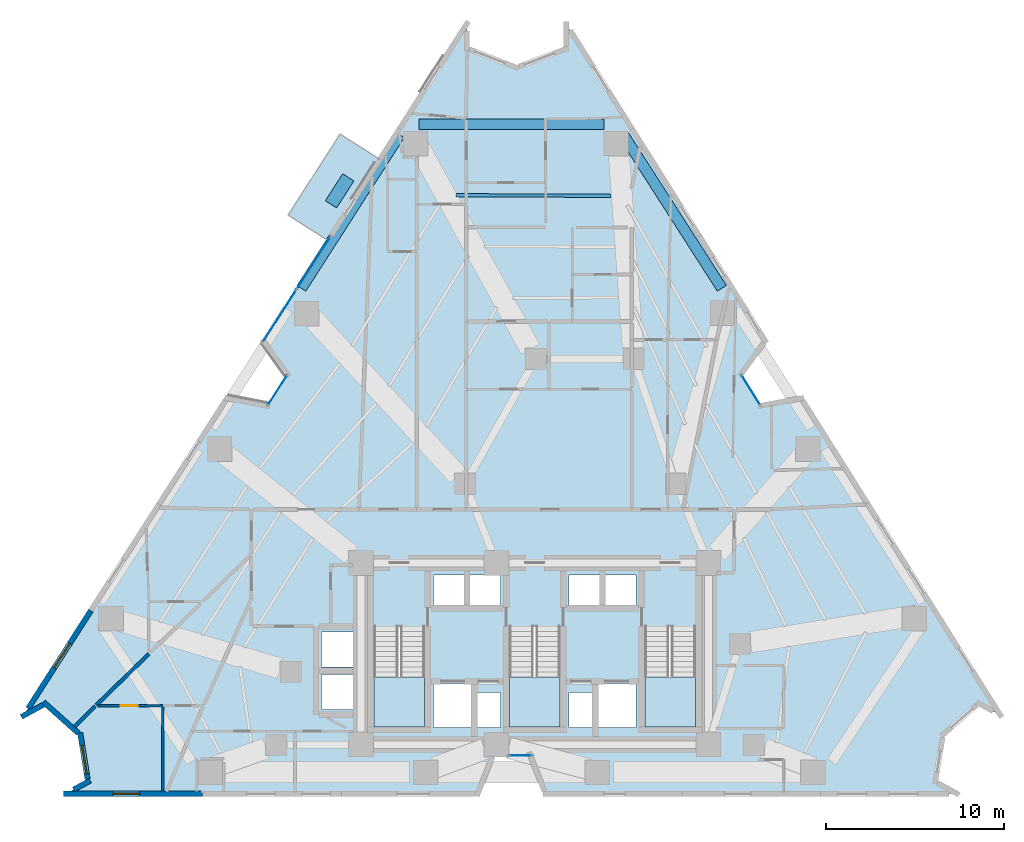
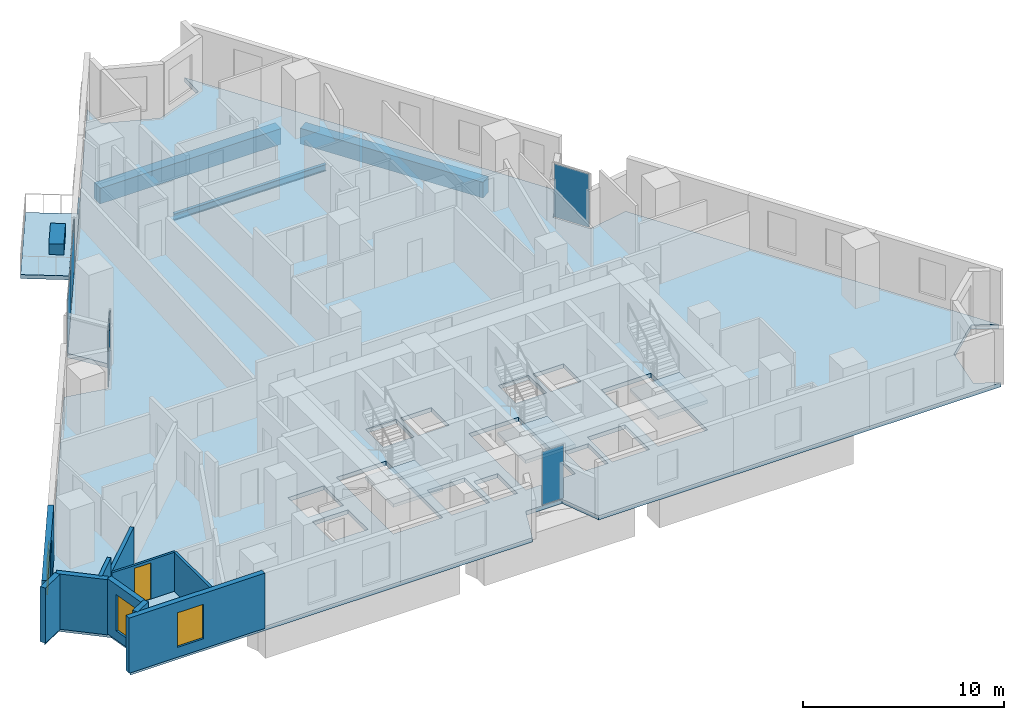
# One storey, part 6 of 13: 10 walls, 6 plates, 5 slabs, 4 beams, 3 windows, 1 door, 4 openings, 7 elements without a shape of their own.
"""IFC4 building model written with IfcOpenShell, lengths in metres."""

import ifcopenshell
import ifcopenshell.guid

model = None  # the IFC model being written
_history = None  # IfcOwnerHistory: only IFC2X3 demands one
_inside = {}  # id of a spatial element -> (the spatial element, [elements in it])
_under = {}  # id of a project, library or spatial element -> (it, [spatial elements below it])
_declared = {}  # id of a project -> (the project, [libraries it declares])
_typed = {}  # id of a type object -> (the type object, [elements of that type])
_made_of = {}  # id of a material, layer set ... -> (it, [elements and type objects made of it])


def new_model(schema):
    """Start an empty IFC model of exactly this schema.

    Asked for "IFC4X3", IfcOpenShell would pick the latest addendum, in which some entities
    have other attributes; the version numbers below select the first issue.
    IFC2X3 requires an IfcOwnerHistory on every rooted entity: one is made here for all.
    """
    global model, _history
    if schema == "IFC4X3":
        model = ifcopenshell.file(schema_version=(4, 3, 0, 0))
    else:
        model = ifcopenshell.file(schema=schema)
    _inside.clear()
    _under.clear()
    _declared.clear()
    _typed.clear()
    _made_of.clear()
    _history = None
    if model.schema == "IFC2X3":
        org = make("IfcOrganization", Name="unknown")
        user = make(
            "IfcPersonAndOrganization",
            ThePerson=make("IfcPerson", FamilyName="unknown"),
            TheOrganization=org,
        )
        app = make(
            "IfcApplication",
            ApplicationDeveloper=org,
            Version="unknown",
            ApplicationFullName="unknown",
            ApplicationIdentifier="unknown",
        )
        _history = make(
            "IfcOwnerHistory",
            OwningUser=user,
            OwningApplication=app,
            ChangeAction="ADDED",
            CreationDate=0,
        )
    return model


def make(cls, **values):
    """One entity of the class cls with the attributes given. An attribute that is None is left unset."""
    return model.create_entity(
        cls, **{name: value for name, value in values.items() if value is not None}
    )


def rooted(cls, **values):
    """An entity with a GlobalId (a new one), such as an element, a storey or a relation."""
    return make(cls, GlobalId=ifcopenshell.guid.new(), OwnerHistory=_history, **values)


def si_unit(unit_type, name, prefix=None):
    """IfcSIUnit, for example si_unit("LENGTHUNIT", "METRE", prefix="MILLI")."""
    return make("IfcSIUnit", UnitType=unit_type, Prefix=prefix, Name=name)


def assignment(units):
    """IfcUnitAssignment: the units of a project."""
    return None if units is None else make("IfcUnitAssignment", Units=units)


def point(xyz):
    """IfcCartesianPoint."""
    return None if xyz is None else make("IfcCartesianPoint", Coordinates=xyz)


def direction(xyz):
    """IfcDirection."""
    return None if xyz is None else make("IfcDirection", DirectionRatios=xyz)


def frame(location, z_axis=None, x_axis=None):
    """IfcAxis2Placement3D, a coordinate frame: its origin and axes. An axis left out is left unset."""
    return make(
        "IfcAxis2Placement3D",
        Location=point(location),
        Axis=direction(z_axis),
        RefDirection=direction(x_axis),
    )


def frame_2d(location, x_axis=None):
    """IfcAxis2Placement2D, a coordinate frame in the plane: its origin and x axis."""
    return make(
        "IfcAxis2Placement2D", Location=point(location), RefDirection=direction(x_axis)
    )


def origin():
    """The frame at (0, 0, 0) with its axes left unset."""
    return frame((0.0, 0.0, 0.0))


def origin_2d():
    """The frame at (0, 0) in the plane with its x axis left unset."""
    return frame_2d((0.0, 0.0))


def place(relative_to, where):
    """IfcLocalPlacement: puts the frame where relative to a parent placement (None: the world)."""
    return make(
        "IfcLocalPlacement", PlacementRelTo=relative_to, RelativePlacement=where
    )


def context(
    kind, dimensions, precision=None, world=None, true_north=None, identifier=None
):
    """IfcGeometricRepresentationContext, for example the 3D "Model" context."""
    return make(
        "IfcGeometricRepresentationContext",
        ContextIdentifier=identifier,
        ContextType=kind,
        CoordinateSpaceDimension=dimensions,
        Precision=precision,
        WorldCoordinateSystem=world,
        TrueNorth=true_north,
    )


def subcontext(parent, identifier, kind, view, scale=None):
    """IfcGeometricRepresentationSubContext, for example "Body" below "Model"."""
    return make(
        "IfcGeometricRepresentationSubContext",
        ContextIdentifier=identifier,
        ContextType=kind,
        ParentContext=parent,
        TargetScale=scale,
        TargetView=view,
    )


def project(units=None, contexts=None):
    """IfcProject with its units and contexts."""
    return rooted(
        "IfcProject",
        Name="project",
        RepresentationContexts=contexts,
        UnitsInContext=assignment(units),
    )


def spatial(cls, under=None, at=None, **own):
    """A site, building, storey or space (cls), placed at a placement, below another one or the project."""
    s = rooted(cls, ObjectPlacement=at, **own)
    if under is not None:
        _under.setdefault(under.id(), (under, []))[1].append(s)
    return s


def polyline(points):
    """IfcPolyline through the points."""
    return make("IfcPolyline", Points=[point(p) for p in points])


def profile(cls, at=None, kind="AREA", **sizes):
    """A parametric profile (cls). Its sizes go by their IFC names, for example OverallWidth=200.0."""
    return make(cls, ProfileType=kind, Position=at, **sizes)


def rectangle(**sizes):
    """IfcRectangleProfileDef."""
    return profile("IfcRectangleProfileDef", **sizes)


def i_section(**sizes):
    """IfcIShapeProfileDef."""
    return profile("IfcIShapeProfileDef", **sizes)


def outline(outer, holes=None, kind="AREA"):
    """IfcArbitraryClosedProfileDef: a profile drawn as a closed curve; with holes, ...WithVoids."""
    if holes is None:
        return make("IfcArbitraryClosedProfileDef", ProfileType=kind, OuterCurve=outer)
    return make(
        "IfcArbitraryProfileDefWithVoids",
        ProfileType=kind,
        OuterCurve=outer,
        InnerCurves=holes,
    )


def extrude(swept, where, along, depth):
    """IfcExtrudedAreaSolid: the profile swept, set in the frame where, extruded along a direction by depth."""
    return make(
        "IfcExtrudedAreaSolid",
        SweptArea=swept,
        Position=where,
        ExtrudedDirection=direction(along),
        Depth=depth,
    )


def shape(context_of_items, identifier, shape_type, items):
    """IfcShapeRepresentation: the items that make up one representation, for example the "Body"."""
    return make(
        "IfcShapeRepresentation",
        ContextOfItems=context_of_items,
        RepresentationIdentifier=identifier,
        RepresentationType=shape_type,
        Items=items,
    )


def material(Name=None, Category=None):
    """IfcMaterial."""
    return make("IfcMaterial", Name=Name, Category=Category)


def layer(
    of_material, thickness, ventilated=None, Name=None, Category=None, Priority=None
):
    """IfcMaterialLayer: one layer of a wall or slab, of a material (None: an air gap)."""
    return make(
        "IfcMaterialLayer",
        Material=of_material,
        LayerThickness=thickness,
        IsVentilated=ventilated,
        Name=Name,
        Category=Category,
        Priority=Priority,
    )


def layer_set(layers, Name=None):
    """IfcMaterialLayerSet."""
    return make("IfcMaterialLayerSet", MaterialLayers=layers, LayerSetName=Name)


def material_profile(
    of_material, cross_section, Name=None, Category=None, Priority=None
):
    """IfcMaterialProfile: a cross section and its material."""
    return make(
        "IfcMaterialProfile",
        Name=Name,
        Material=of_material,
        Profile=cross_section,
        Priority=Priority,
        Category=Category,
    )


def profile_set(profiles, Name=None, composite=None):
    """IfcMaterialProfileSet."""
    return make(
        "IfcMaterialProfileSet",
        Name=Name,
        MaterialProfiles=profiles,
        CompositeProfile=composite,
    )


def made_of(thing, what):
    """Note that an element or type object is made of a material, layer set ...; save() writes the relation."""
    if what is not None:
        _made_of.setdefault(what.id(), (what, []))[1].append(thing)
    return thing


def type_object(cls, material=None, **own):
    """A type object (cls), such as IfcWallType, which elements share."""
    return made_of(rooted(cls, **own), material)


def element(
    cls,
    number,
    at=None,
    inside=None,
    cuts=None,
    type_object=None,
    material=None,
    context=None,
    identifier="Body",
    shape_type=None,
    held_by="IfcProductDefinitionShape",
    body=None,
    shapes=None,
    **own,
):
    """One element of the class cls, such as IfcWall. Its Tag is "e" and its number.

    at: its placement. inside: the storey or other place that contains it. cuts: it is an
    opening in that element (IfcRelVoidsElement). A single representation is given by context,
    identifier, shape_type and body (its items); several are given by shapes. held_by: the class
    of the entity that holds the representations. save() writes the other relations.
    """
    e = rooted(cls, Tag="e%d" % number, ObjectPlacement=at, **own)
    if body is not None:
        shapes = [shape(context, identifier, shape_type, body)]
    if shapes is not None:
        e.Representation = make(held_by, Representations=shapes)
    if inside is not None:
        _inside.setdefault(inside.id(), (inside, []))[1].append(e)
    if cuts is not None:
        rooted(
            "IfcRelVoidsElement", RelatingBuildingElement=cuts, RelatedOpeningElement=e
        )
    if type_object is not None:
        _typed.setdefault(type_object.id(), (type_object, []))[1].append(e)
    return made_of(e, material)


def fill(opening, filler):
    """IfcRelFillsElement: the door or window that sits in an opening."""
    return rooted(
        "IfcRelFillsElement",
        RelatingOpeningElement=opening,
        RelatedBuildingElement=filler,
    )


def aggregate(whole, parts):
    """IfcRelAggregates: a whole, such as a stair, and the parts it consists of."""
    return rooted("IfcRelAggregates", RelatingObject=whole, RelatedObjects=parts)


def save(model, path):
    """Write the relations noted so far, then the file.

    IfcRelAggregates (storeys below a building ...), IfcRelContainedInSpatialStructure (elements
    in a storey), IfcRelDefinesByType, IfcRelAssociatesMaterial and IfcRelDeclares: one each for
    every whole, place, type object, material and project.
    """
    for whole, parts in _under.values():
        aggregate(whole, parts)
    for where, things in _inside.values():
        rooted(
            "IfcRelContainedInSpatialStructure",
            RelatedElements=things,
            RelatingStructure=where,
        )
    for kind, things in _typed.values():
        rooted("IfcRelDefinesByType", RelatedObjects=things, RelatingType=kind)
    for what, things in _made_of.values():
        rooted("IfcRelAssociatesMaterial", RelatedObjects=things, RelatingMaterial=what)
    for by, libraries in _declared.values():
        rooted("IfcRelDeclares", RelatingContext=by, RelatedDefinitions=libraries)
    model.write(path)


model = new_model("IFC4")

# Units and contexts
model_context = context("Model", 3, precision=1e-05, world=origin(), true_north=direction((0.0, 1.0)))
body_context = subcontext(model_context, "Body", "Model", "MODEL_VIEW")
ifc_project = project(units=[si_unit("LENGTHUNIT", "METRE"), si_unit("AREAUNIT", "SQUARE_METRE"), si_unit("VOLUMEUNIT", "CUBIC_METRE"), si_unit("PLANEANGLEUNIT", "RADIAN"), si_unit("MASSUNIT", "GRAM", prefix="KILO")], contexts=[model_context])

# Site, building, storey
site_placement = place(None, origin())
site = spatial("IfcSite", under=ifc_project, at=site_placement, CompositionType="ELEMENT")
building_placement = place(site_placement, origin())
building = spatial("IfcBuilding", under=site, at=building_placement, Name="Almagre Mirador Tower", CompositionType="ELEMENT")
storey_placement = place(building_placement, frame((0.0, 0.0, 53.39990234375)))
storey = spatial("IfcBuildingStorey", under=building, at=storey_placement, Name="L12", CompositionType="ELEMENT", Elevation=53.39990234375)

# Beams
ifc_material_1 = material(Name="Steel ASTM A992 Grade 50", Category="steel")
ifc_material_profile_1 = material_profile(ifc_material_1, i_section(OverallWidth=0.178955078125, OverallDepth=0.408935546875, WebThickness=0.0087890625, FlangeThickness=0.014404296875, FilletRadius=0.013916015625, at=origin_2d()), Name="W16X45")
ifc_profile_set_1 = profile_set([ifc_material_profile_1], Name="Steel ASTM A992 Grade 50")
beam_type_1 = type_object("IfcBeamType", Name="BM-JST-W16X45", PredefinedType="JOIST", material=ifc_profile_set_1)
beam_1_placement = place(storey_placement, frame((41.5888671875, 35.351806640625, -0.454345703125), z_axis=(-0.999991483043, 0.004127207457, 0.0), x_axis=(-0.004127207457, -0.999991483043, 0.0)))
element("IfcBeam", 1, at=beam_1_placement, inside=storey, type_object=beam_type_1, Name="L12 secondary floor joist PC08-PC09.1", PredefinedType="JOIST", context=body_context, shape_type="SweptSolid", body=[
    extrude(i_section(OverallWidth=0.178955078125, OverallDepth=0.408935546875, WebThickness=0.0087890625, FlangeThickness=0.014404296875, FilletRadius=0.013916015625, at=origin_2d()), origin(), (0.0, 0.0, 1.0), 8.695556640625),
])
ifc_material_2 = material(Name="Precast concrete C50/60", Category="concrete")
ifc_material_profile_2 = material_profile(ifc_material_2, rectangle(XDim=0.60009765625, YDim=0.949951171875, at=origin_2d()), Name="RC600X950")
ifc_profile_set_2 = profile_set([ifc_material_profile_2], Name="Precast concrete C50/60")
beam_type_2 = type_object("IfcBeamType", Name="BM-SPN-RC600X950", PredefinedType="SPANDREL", material=ifc_profile_set_2)
beam_2_placement = place(storey_placement, frame((47.80029296875, 30.162353515625, -0.724853515625), z_axis=(-0.539538717329, 0.841960790359, 0.0), x_axis=(-0.841960790359, -0.539538717329, 0.0)))
element("IfcBeam", 2, at=beam_2_placement, inside=storey, type_object=beam_type_2, Name="L12 perimeter spandrel beam PC07-PC08", PredefinedType="SPANDREL", context=body_context, shape_type="SweptSolid", body=[
    extrude(rectangle(XDim=0.60009765625, YDim=0.949951171875, at=origin_2d()), origin(), (0.0, 0.0, 1.0), 10.239501953125),
])
beam_3_placement = place(storey_placement, frame((41.197998046875, 39.373046875, -0.724853515625), z_axis=(-1.0, 0.0, 0.0), x_axis=(0.0, -1.0, 0.0)))
element("IfcBeam", 3, at=beam_3_placement, inside=storey, type_object=beam_type_2, Name="L12 perimeter spandrel beam PC08-PC09", PredefinedType="SPANDREL", context=body_context, shape_type="SweptSolid", body=[
    extrude(rectangle(XDim=0.60009765625, YDim=0.949951171875, at=origin_2d()), origin(), (0.0, 0.0, 1.0), 10.39599609375),
])
beam_4_placement = place(storey_placement, frame((29.724365234375, 38.78369140625, -0.724853515625), z_axis=(-0.539538717329, -0.841960790359, 0.0), x_axis=(0.841960790359, -0.539538717329, 0.0)))
element("IfcBeam", 4, at=beam_4_placement, inside=storey, type_object=beam_type_2, Name="L12 perimeter spandrel beam PC09-PC10", PredefinedType="SPANDREL", context=body_context, shape_type="SweptSolid", body=[
    extrude(rectangle(XDim=0.60009765625, YDim=0.949951171875, at=origin_2d()), origin(), (0.0, 0.0, 1.0), 10.239501953125),
])

# Curtain wall, plate
ifc_material_3 = material(Name="Black anodized aluminium", Category="aluminium")
ifc_layer_1 = layer(ifc_material_3, 0.169921875)
ifc_layer_set_1 = layer_set([ifc_layer_1], Name="Black anodized aluminium")
curtain_wall_type_1 = type_object("IfcCurtainWallType", Name="CW-CRS-SYS", PredefinedType="NOTDEFINED", material=ifc_layer_set_1)
curtain_wall_1_placement = place(storey_placement, origin())
curtain_wall_1 = element("IfcCurtainWall", 5, at=curtain_wall_1_placement, inside=storey, type_object=curtain_wall_type_1, Name="L12 vertical crease curtain wall 01", PredefinedType="NOTDEFINED")
ifc_material_4 = material(Name="Dark solar-control laminated hurricane glass", Category="glass")
ifc_layer_2 = layer(ifc_material_4, 0.028076171875)
ifc_layer_set_2 = layer_set([ifc_layer_2], Name="Dark solar-control laminated hurricane glass")
plate_type_1 = type_object("IfcPlateType", Name="PLT-GLZ-28", PredefinedType="CURTAIN_PANEL", material=ifc_layer_set_2)
plate_1_placement = place(storey_placement, frame((22.860107421875, 24.43994140625, 0.06005859375), z_axis=(0.0, 0.0, 1.0), x_axis=(0.539596564827, 0.841923718176, 0.0)))
plate_1 = element("IfcPlate", 6, at=plate_1_placement, type_object=plate_type_1, Name="CW-4 panel 1.1", PredefinedType="CURTAIN_PANEL", context=body_context, shape_type="SweptSolid", body=[
    extrude(rectangle(XDim=1.970458984375, YDim=0.028076171875, at=origin_2d()), origin(), (0.0, 0.0, 1.0), 3.22998046875),
])
aggregate(curtain_wall_1, [plate_1])

curtain_wall_2_placement = place(storey_placement, origin())
curtain_wall_2 = element("IfcCurtainWall", 7, at=curtain_wall_2_placement, inside=storey, type_object=curtain_wall_type_1, Name="L12 vertical crease curtain wall 03", PredefinedType="NOTDEFINED")
plate_2_placement = place(storey_placement, frame((49.429443359375, 24.4560546875, 0.06005859375), z_axis=(0.0, 0.0, 1.0), x_axis=(0.531632440698, -0.846975175549, 0.0)))
plate_2 = element("IfcPlate", 8, at=plate_2_placement, type_object=plate_type_1, Name="CW-4 panel 1.1", PredefinedType="CURTAIN_PANEL", context=body_context, shape_type="SweptSolid", body=[
    extrude(rectangle(XDim=1.9697265625, YDim=0.028076171875, at=origin_2d()), origin(), (0.0, 0.0, 1.0), 3.22998046875),
])
aggregate(curtain_wall_2, [plate_2])

curtain_wall_3_placement = place(storey_placement, origin())
curtain_wall_3 = element("IfcCurtainWall", 9, at=curtain_wall_3_placement, inside=storey, type_object=curtain_wall_type_1, Name="L12 vertical crease curtain wall 04", PredefinedType="NOTDEFINED")
plate_3_placement = place(storey_placement, frame((36.49853515625, 3.949951171875, 0.06005859375), z_axis=(0.0, 0.0, 1.0), x_axis=(-1.0, 0.0, 0.0)))
plate_3 = element("IfcPlate", 10, at=plate_3_placement, type_object=plate_type_1, Name="CW-4 panel 1.1", PredefinedType="CURTAIN_PANEL", context=body_context, shape_type="SweptSolid", body=[
    extrude(rectangle(XDim=1.2529296875, YDim=0.028076171875, at=origin_2d()), origin(), (0.0, 0.0, 1.0), 3.22998046875),
])
aggregate(curtain_wall_3, [plate_3])

# Curtain wall, plates
ifc_material_5 = material(Name="Black anodized aluminium", Category="aluminium")
ifc_layer_3 = layer(ifc_material_5, 0.18994140625)
ifc_layer_set_3 = layer_set([ifc_layer_3], Name="Black anodized aluminium")
curtain_wall_type_2 = type_object("IfcCurtainWallType", Name="CW-RES-L-SYS", PredefinedType="NOTDEFINED", material=ifc_layer_set_3)
curtain_wall_4_placement = place(storey_placement, origin())
curtain_wall_4 = element("IfcCurtainWall", 11, at=curtain_wall_4_placement, inside=storey, type_object=curtain_wall_type_2, Name="L12 curtain wall run 02", PredefinedType="NOTDEFINED")
ifc_material_6 = material(Name="Dark solar-control laminated hurricane glass", Category="glass")
ifc_layer_4 = layer(ifc_material_6, 0.031982421875)
ifc_layer_set_4 = layer_set([ifc_layer_4], Name="Dark solar-control laminated hurricane glass")
plate_type_2 = type_object("IfcPlateType", Name="PLT-GLZ-32", PredefinedType="CURTAIN_PANEL", material=ifc_layer_set_4)
plate_4_placement = place(storey_placement, frame((22.972412109375, 28.6005859375, 0.06005859375), z_axis=(0.0, 0.0, 1.0), x_axis=(0.539514852449, 0.841976082788, 0.0)))
plate_4 = element("IfcPlate", 12, at=plate_4_placement, type_object=plate_type_2, Name="CW-2 panel 1.1", PredefinedType="CURTAIN_PANEL", context=body_context, shape_type="SweptSolid", body=[
    extrude(rectangle(XDim=3.47705078125, YDim=0.031982421875, at=origin_2d()), origin(), (0.0, 0.0, 1.0), 3.22998046875),
])
plate_5_placement = place(storey_placement, frame((24.883544921875, 31.5830078125, 0.06005859375), z_axis=(0.0, 0.0, 1.0), x_axis=(0.539514852449, 0.841976082788, 0.0)))
plate_5 = element("IfcPlate", 13, at=plate_5_placement, type_object=plate_type_2, Name="CW-2 panel 2.1", PredefinedType="CURTAIN_PANEL", context=body_context, shape_type="SweptSolid", body=[
    extrude(rectangle(XDim=3.47705078125, YDim=0.031982421875, at=origin_2d()), origin(), (0.0, 0.0, 1.0), 3.22998046875),
])
aggregate(curtain_wall_4, [plate_4, plate_5])

# Plate
ifc_material_7 = material(Name="Precast concrete C50/60", Category="concrete")
ifc_layer_5 = layer(ifc_material_7, 0.64990234375)
ifc_layer_set_5 = layer_set([ifc_layer_5], Name="Precast concrete C50/60")
plate_type_3 = type_object("IfcPlateType", Name="PLT-PLANTER-1800", PredefinedType="USERDEFINED", material=ifc_layer_set_5)
plate_6_placement = place(storey_placement, frame((26.35009765625, 35.633056640625, 0.000244140625), z_axis=(0.0, 0.0, 1.0), x_axis=(-0.539505758171, -0.841981910079, 0.0)))
element("IfcPlate", 14, at=plate_6_placement, inside=storey, type_object=plate_type_3, Name="L12 west balcony structural tree planter 2", ObjectType="PLANTER", PredefinedType="USERDEFINED", context=body_context, shape_type="SweptSolid", body=[
    extrude(rectangle(XDim=1.800048828125, YDim=0.75, at=origin_2d()), origin(), (0.0, 0.0, 1.0), 0.64990234375),
])

# Slabs
ifc_material_8 = material(Name="Concrete C45/55", Category="concrete")
ifc_layer_6 = layer(ifc_material_8, 0.239990234375)
ifc_layer_set_6 = layer_set([ifc_layer_6], Name="Concrete C45/55")
slab_type_1 = type_object("IfcSlabType", Name="SLB-BAL-240", PredefinedType="USERDEFINED", material=ifc_layer_set_6)
slab_1_placement = place(storey_placement, frame((0.0, 0.0, -0.239990234375)))
element("IfcSlab", 15, at=slab_1_placement, inside=storey, type_object=slab_type_1, Name="L12 west planted tree balcony 2", ObjectType="BALCONY", PredefinedType="USERDEFINED", context=body_context, shape_type="SweptSolid", body=[
    extrude(outline(polyline([(28.6240234375, 37.382080078125), (25.7099609375, 32.8359375), (23.4619140625, 34.27587890625), (26.375, 38.822998046875), (28.6240234375, 37.382080078125)])), origin(), (0.0, 0.0, 1.0), 0.239990234375),
])
ifc_material_9 = material(Name="Concrete C45/55", Category="concrete")
ifc_layer_7 = layer(ifc_material_9, 0.25)
ifc_layer_set_7 = layer_set([ifc_layer_7], Name="Concrete C45/55")
slab_type_2 = type_object("IfcSlabType", Name="SLB-FLR-250", PredefinedType="FLOOR", material=ifc_layer_set_7)
slab_2_placement = place(storey_placement, frame((0.0, 0.0, -0.25)))
element("IfcSlab", 16, at=slab_2_placement, inside=storey, type_object=slab_type_2, Name="L12 structural floor slab", PredefinedType="FLOOR", context=body_context, shape_type="SweptSolid", body=[
    extrude(outline(polyline([(8.60498046875, 6.177978515625), (9.8291015625, 6.847900390625), (11.804931640625, 5.083984375), (12.22412109375, 2.468994140625), (11.0, 1.800048828125), (34.10009765625, 1.800048828125), (34.955078125, 3.949951171875), (37.044921875, 3.949951171875), (37.89990234375, 1.800048828125), (61.0, 1.800048828125), (59.779052734375, 2.47509765625), (60.2099609375, 5.111083984375), (62.212890625, 6.8779296875), (63.43408203125, 6.202880859375), (52.260986328125, 23.990966796875), (49.985107421875, 23.571044921875), (48.8740234375, 25.341064453125), (50.239013671875, 27.208984375), (39.06591796875, 44.9970703125), (39.06005859375, 43.60205078125), (36.26904296875, 42.555908203125), (33.488037109375, 43.626953125), (33.4951171875, 45.02197265625), (22.074951171875, 27.199951171875), (23.424072265625, 25.320068359375), (22.2958984375, 23.56005859375), (20.02490234375, 24.0), (8.60498046875, 6.177978515625)]), holes=[polyline([(43.47509765625, 11.196044921875), (46.324951171875, 11.196044921875), (46.324951171875, 5.550048828125), (43.47509765625, 5.550048828125), (43.47509765625, 11.196044921875)]), polyline([(40.820068359375, 5.52001953125), (40.820068359375, 7.97998046875), (42.97998046875, 7.97998046875), (42.97998046875, 5.52001953125), (40.820068359375, 5.52001953125)]), polyline([(41.219970703125, 12.320068359375), (41.219970703125, 14.080078125), (42.97998046875, 14.080078125), (42.97998046875, 12.320068359375), (41.219970703125, 12.320068359375)]), polyline([(39.219970703125, 12.320068359375), (39.219970703125, 14.080078125), (40.97998046875, 14.080078125), (40.97998046875, 12.320068359375), (39.219970703125, 12.320068359375)]), polyline([(39.219970703125, 5.52001953125), (39.219970703125, 7.47998046875), (40.580078125, 7.47998046875), (40.580078125, 5.52001953125), (39.219970703125, 5.52001953125)]), polyline([(35.875, 11.196044921875), (38.72509765625, 11.196044921875), (38.72509765625, 5.550048828125), (35.875, 5.550048828125), (35.875, 11.196044921875)]), polyline([(35.3798828125, 5.52001953125), (34.02001953125, 5.52001953125), (34.02001953125, 7.47998046875), (35.3798828125, 7.47998046875), (35.3798828125, 5.52001953125)]), polyline([(35.3798828125, 12.320068359375), (33.6201171875, 12.320068359375), (33.6201171875, 14.080078125), (35.3798828125, 14.080078125), (35.3798828125, 12.320068359375)]), polyline([(31.6201171875, 5.52001953125), (31.6201171875, 7.97998046875), (33.780029296875, 7.97998046875), (33.780029296875, 5.52001953125), (31.6201171875, 5.52001953125)]), polyline([(31.6201171875, 12.320068359375), (31.6201171875, 14.080078125), (33.3798828125, 14.080078125), (33.3798828125, 12.320068359375), (31.6201171875, 12.320068359375)]), polyline([(28.27490234375, 5.550048828125), (28.27490234375, 11.196044921875), (31.125, 11.196044921875), (31.125, 5.550048828125), (28.27490234375, 5.550048828125)]), polyline([(25.320068359375, 6.52001953125), (25.320068359375, 8.47998046875), (27.3798828125, 8.47998046875), (27.3798828125, 6.52001953125), (25.320068359375, 6.52001953125)]), polyline([(25.320068359375, 8.919921875), (25.320068359375, 10.8798828125), (27.3798828125, 10.8798828125), (27.3798828125, 8.919921875), (25.320068359375, 8.919921875)])]), origin(), (0.0, 0.0, 1.0), 0.25),
])

# Stair, slab
ifc_material_10 = material(Name="Concrete C45/55", Category="concrete")
stair_type = type_object("IfcStairType", Name="STR-DL-3600", PredefinedType="HALF_TURN_STAIR", material=ifc_material_10)
stair_1_placement = place(storey_placement, origin())
stair_1 = element("IfcStair", 17, at=stair_1_placement, inside=storey, type_object=stair_type, Name="L12 Protected exit stair ST-1", PredefinedType="HALF_TURN_STAIR")
ifc_material_11 = material(Name="Concrete C45/55", Category="concrete")
ifc_layer_8 = layer(ifc_material_11, 0.199951171875)
ifc_layer_set_8 = layer_set([ifc_layer_8], Name="Concrete C45/55")
slab_type_3 = type_object("IfcSlabType", Name="SLB-LND-200", PredefinedType="LANDING", material=ifc_layer_set_8)
slab_3_placement = place(storey_placement, frame((0.0, 0.0, 1.60009765625)))
slab_3 = element("IfcSlab", 18, at=slab_3_placement, type_object=slab_type_3, Name="ST-1 landing 1", PredefinedType="LANDING", context=body_context, shape_type="SweptSolid", body=[
    extrude(outline(polyline([(28.27490234375, 8.35009765625), (28.27490234375, 5.550048828125), (31.125, 5.550048828125), (31.125, 8.35009765625), (28.27490234375, 8.35009765625)])), origin(), (0.0, 0.0, 1.0), 0.199951171875),
])
aggregate(stair_1, [slab_3])

stair_2_placement = place(storey_placement, origin())
stair_2 = element("IfcStair", 19, at=stair_2_placement, inside=storey, type_object=stair_type, Name="L12 Protected exit stair ST-2", PredefinedType="HALF_TURN_STAIR")
slab_4_placement = place(storey_placement, frame((0.0, 0.0, 1.60009765625)))
slab_4 = element("IfcSlab", 20, at=slab_4_placement, type_object=slab_type_3, Name="ST-2 landing 1", PredefinedType="LANDING", context=body_context, shape_type="SweptSolid", body=[
    extrude(outline(polyline([(35.875, 8.35009765625), (35.875, 5.550048828125), (38.72509765625, 5.550048828125), (38.72509765625, 8.35009765625), (35.875, 8.35009765625)])), origin(), (0.0, 0.0, 1.0), 0.199951171875),
])
aggregate(stair_2, [slab_4])

stair_3_placement = place(storey_placement, origin())
stair_3 = element("IfcStair", 21, at=stair_3_placement, inside=storey, type_object=stair_type, Name="L12 Protected exit stair ST-3", PredefinedType="HALF_TURN_STAIR")
slab_5_placement = place(storey_placement, frame((0.0, 0.0, 1.60009765625)))
slab_5 = element("IfcSlab", 22, at=slab_5_placement, type_object=slab_type_3, Name="ST-3 landing 1", PredefinedType="LANDING", context=body_context, shape_type="SweptSolid", body=[
    extrude(outline(polyline([(43.47509765625, 8.35009765625), (43.47509765625, 5.550048828125), (46.324951171875, 5.550048828125), (46.324951171875, 8.35009765625), (43.47509765625, 8.35009765625)])), origin(), (0.0, 0.0, 1.0), 0.199951171875),
])
aggregate(stair_3, [slab_5])

# Wall, opening, window
ifc_material_12 = material(Name="Precast concrete C50/60", Category="concrete")
ifc_layer_9 = layer(ifc_material_12, 0.300048828125)
ifc_layer_set_9 = layer_set([ifc_layer_9], Name="Precast concrete C50/60")
wall_type_1 = type_object("IfcWallType", Name="WAL-EXT-300", PredefinedType="SOLIDWALL", material=ifc_layer_set_9)
wall_1_placement = place(storey_placement, frame((18.6533203125, 1.800048828125, 0.0), z_axis=(0.0, 0.0, 1.0), x_axis=(-1.0, 0.0, 0.0)))
wall_1 = element("IfcWall", 23, at=wall_1_placement, inside=storey, type_object=wall_type_1, Name="L12 expressed almagre precast frame wall 28", PredefinedType="SOLIDWALL", context=body_context, shape_type="SweptSolid", body=[
    extrude(rectangle(XDim=7.793212890625, YDim=0.300048828125, at=frame_2d((3.896484375, 0.0))), origin(), (0.0, 0.0, 1.0), 3.35009765625),
])
opening_1_placement = place(wall_1_placement, frame((3.52490234375, 0.0, 0.60009765625)))
opening_1 = element("IfcOpeningElement", 24, at=opening_1_placement, cuts=wall_1, Name="Opening WN-03", PredefinedType="OPENING", context=body_context, shape_type="SweptSolid", body=[
    extrude(rectangle(XDim=1.5, YDim=2.10009765625, at=frame_2d((0.75, 1.050048828125))), frame((0.0, 0.159902, 0.0), z_axis=(0.0, -1.0, 0.0), x_axis=(1.0, 0.0, 0.0)), (0.0, 0.0, 1.0), 0.320049),
])
ifc_material_13 = material(Name="Dark solar-control laminated hurricane glass", Category="glass")
window_type_1 = type_object("IfcWindowType", Name="WIN-1500X2100", PartitioningType="DOUBLE_PANEL_VERTICAL", PredefinedType="WINDOW", material=ifc_material_13)
window_1_placement = place(opening_1_placement, origin())
window_1 = element("IfcWindow", 25, at=window_1_placement, inside=storey, type_object=window_type_1, Name="L12 recessed hurricane window L12-UA-KT", OverallHeight=2.10009765625, OverallWidth=1.5, PartitioningType="SINGLE_PANEL", PredefinedType="WINDOW", context=body_context, shape_type="SweptSolid", body=[
    extrude(rectangle(XDim=1.5, YDim=2.10009765625, at=frame_2d((0.75, 1.050048828125))), frame((0.0, 0.030029296875, 0.0), z_axis=(0.0, -1.0, 0.0), x_axis=(1.0, 0.0, 0.0)), (0.0, 0.0, 1.0), 0.06005859375),
])
fill(opening_1, window_1)

# Wall
wall_2_placement = place(storey_placement, frame((11.421142578125, 2.0302734375, 0.0), z_axis=(0.0, 0.0, 1.0), x_axis=(0.877488347229, 0.479597957124, 0.0)))
element("IfcWall", 26, at=wall_2_placement, inside=storey, type_object=wall_type_1, Name="L12 expressed almagre precast frame wall 29", PredefinedType="SOLIDWALL", context=body_context, shape_type="SweptSolid", body=[
    extrude(rectangle(XDim=1.0546875, YDim=0.300048828125, at=frame_2d((0.52734375, 0.0))), origin(), (0.0, 0.0, 1.0), 3.35009765625),
])

# Wall, opening, window
wall_3_placement = place(storey_placement, frame((12.20263671875, 2.602294921875, 0.0), z_axis=(0.0, 0.0, 1.0), x_axis=(-0.158173523246, 0.987411330978, 0.0)))
wall_3 = element("IfcWall", 27, at=wall_3_placement, inside=storey, type_object=wall_type_1, Name="L12 expressed almagre precast frame wall 30", PredefinedType="SOLIDWALL", context=body_context, shape_type="SweptSolid", body=[
    extrude(rectangle(XDim=2.6533203125, YDim=0.300048828125, at=frame_2d((1.32666015625, 0.0))), origin(), (0.0, 0.0, 1.0), 3.35009765625),
])
opening_2_placement = place(wall_3_placement, frame((0.324951171875, 0.0, 0.550048828125)))
opening_2 = element("IfcOpeningElement", 28, at=opening_2_placement, cuts=wall_3, Name="Opening WN-06", PredefinedType="OPENING", context=body_context, shape_type="SweptSolid", body=[
    extrude(rectangle(XDim=1.60009765625, YDim=2.199951171875, at=frame_2d((0.800048828125, 1.10009765625))), frame((0.0, 0.159902, 0.0), z_axis=(0.0, -1.0, 0.0), x_axis=(1.0, 0.0, 0.0)), (0.0, 0.0, 1.0), 0.320049),
])
ifc_material_14 = material(Name="Dark solar-control laminated hurricane glass", Category="glass")
window_type_2 = type_object("IfcWindowType", Name="WIN-1600X2200", PartitioningType="DOUBLE_PANEL_VERTICAL", PredefinedType="WINDOW", material=ifc_material_14)
window_2_placement = place(opening_2_placement, origin())
window_2 = element("IfcWindow", 29, at=window_2_placement, inside=storey, type_object=window_type_2, Name="L12 recessed hurricane window L12-UA-KT", OverallHeight=2.199951171875, OverallWidth=1.60009765625, PartitioningType="SINGLE_PANEL", PredefinedType="WINDOW", context=body_context, shape_type="SweptSolid", body=[
    extrude(rectangle(XDim=1.60009765625, YDim=2.199951171875, at=frame_2d((0.800048828125, 1.10009765625))), frame((0.0, 0.030029296875, 0.0), z_axis=(0.0, -1.0, 0.0), x_axis=(1.0, 0.0, 0.0)), (0.0, 0.0, 1.0), 0.06005859375),
])
fill(opening_2, window_2)

# Walls
wall_4_placement = place(storey_placement, frame((11.689208984375, 5.187255859375, 0.0), z_axis=(0.0, 0.0, 1.0), x_axis=(-0.745975491387, 0.665973397555, 0.0)))
element("IfcWall", 30, at=wall_4_placement, inside=storey, type_object=wall_type_1, Name="L12 expressed almagre precast frame wall 31", PredefinedType="SOLIDWALL", context=body_context, shape_type="SweptSolid", body=[
    extrude(rectangle(XDim=2.633544921875, YDim=0.300048828125, at=frame_2d((1.31689453125, 0.0))), origin(), (0.0, 0.0, 1.0), 3.35009765625),
])
wall_5_placement = place(storey_placement, frame((9.710693359375, 6.783203125, 0.0), z_axis=(0.0, 0.0, 1.0), x_axis=(-0.877215145436, -0.480097478245, 0.0)))
element("IfcWall", 31, at=wall_5_placement, inside=storey, type_object=wall_type_1, Name="L12 expressed almagre precast frame wall 32", PredefinedType="SOLIDWALL", context=body_context, shape_type="SweptSolid", body=[
    extrude(rectangle(XDim=1.400390625, YDim=0.300048828125, at=frame_2d((0.7001953125, 0.0))), origin(), (0.0, 0.0, 1.0), 3.35009765625),
])

# Wall, opening, window
wall_6_placement = place(storey_placement, frame((8.861328125, 6.577880859375, 0.0), z_axis=(0.0, 0.0, 1.0), x_axis=(0.539510604495, 0.841978804744, 0.0)))
wall_6 = element("IfcWall", 32, at=wall_6_placement, inside=storey, type_object=wall_type_1, Name="L12 expressed almagre precast frame wall 33", PredefinedType="SOLIDWALL", context=body_context, shape_type="SweptSolid", body=[
    extrude(rectangle(XDim=6.533935546875, YDim=0.300048828125, at=frame_2d((3.26708984375, 0.0))), origin(), (0.0, 0.0, 1.0), 3.35009765625),
])
opening_3_placement = place(wall_6_placement, frame((2.735107421875, 0.0, 0.550048828125)))
opening_3 = element("IfcOpeningElement", 33, at=opening_3_placement, cuts=wall_6, Name="Opening WN-06", PredefinedType="OPENING", context=body_context, shape_type="SweptSolid", body=[
    extrude(rectangle(XDim=1.60009765625, YDim=2.199951171875, at=frame_2d((0.800048828125, 1.10009765625))), frame((0.0, 0.159902, 0.0), z_axis=(0.0, -1.0, 0.0), x_axis=(1.0, 0.0, 0.0)), (0.0, 0.0, 1.0), 0.320049),
])
window_3_placement = place(opening_3_placement, origin())
window_3 = element("IfcWindow", 34, at=window_3_placement, inside=storey, type_object=window_type_2, Name="L12 recessed hurricane window L12-UE-KT", OverallHeight=2.199951171875, OverallWidth=1.60009765625, PartitioningType="SINGLE_PANEL", PredefinedType="WINDOW", context=body_context, shape_type="SweptSolid", body=[
    extrude(rectangle(XDim=1.60009765625, YDim=2.199951171875, at=frame_2d((0.800048828125, 1.10009765625))), frame((0.0, 0.030029296875, 0.0), z_axis=(0.0, -1.0, 0.0), x_axis=(1.0, 0.0, 0.0)), (0.0, 0.0, 1.0), 0.06005859375),
])
fill(opening_3, window_3)

# Wall, opening, door
ifc_material_15 = material(Name="Gypsum acoustic stud partition", Category="other")
ifc_layer_10 = layer(ifc_material_15, 0.125)
ifc_layer_set_10 = layer_set([ifc_layer_10], Name="Gypsum acoustic stud partition")
wall_type_2 = type_object("IfcWallType", Name="WAL-PRT-125-UTL", PredefinedType="PARTITIONING", material=ifc_layer_set_10)
wall_7_placement = place(storey_placement, frame((12.784912109375, 6.739990234375, 0.0), z_axis=(0.0, 0.0, 1.0), x_axis=(1.0, 0.0, 0.0)))
wall_7 = element("IfcWall", 35, at=wall_7_placement, inside=storey, type_object=wall_type_2, Name="L12 interior partition 015", PredefinedType="PARTITIONING", context=body_context, shape_type="SweptSolid", body=[
    extrude(rectangle(XDim=3.64501953125, YDim=0.125, at=frame_2d((1.822509765625, 0.0))), origin(), (0.0, 0.0, 1.0), 2.3701171875),
])
opening_4_placement = place(wall_7_placement, frame((1.284912109375, 0.0, 0.0)))
opening_4 = element("IfcOpeningElement", 36, at=opening_4_placement, cuts=wall_7, Name="Opening UD-01", PredefinedType="OPENING", context=body_context, shape_type="SweptSolid", body=[
    extrude(rectangle(XDim=0.949951171875, YDim=2.199951171875, at=frame_2d((0.47509765625, 1.10009765625))), frame((0.0, 0.0725, 0.0), z_axis=(0.0, -1.0, 0.0), x_axis=(1.0, 0.0, 0.0)), (0.0, 0.0, 1.0), 0.145),
])
ifc_material_16 = material(Name="Solid American walnut timber", Category="wood")
door_type = type_object("IfcDoorType", Name="DOR-UNR-950X2200", OperationType="NOTDEFINED", PredefinedType="DOOR", material=ifc_material_16)
door_placement = place(opening_4_placement, origin())
door = element("IfcDoor", 37, at=door_placement, inside=storey, type_object=door_type, Name="DR-0384 L12 interior door L12-UA-ST to L12-UA-KT", OperationType="SINGLE_SWING_RIGHT", OverallHeight=2.199951171875, OverallWidth=0.949951171875, PredefinedType="DOOR", context=body_context, shape_type="SweptSolid", body=[
    extrude(rectangle(XDim=0.949951171875, YDim=2.199951171875, at=frame_2d((0.47509765625, 1.10009765625))), frame((0.0, 0.02490234375, 0.0), z_axis=(0.0, -1.0, 0.0), x_axis=(1.0, 0.0, 0.0)), (0.0, 0.0, 1.0), 0.050048828125),
])
fill(opening_4, door)

# Walls
ifc_material_17 = material(Name="Gypsum acoustic stud partition", Category="other")
ifc_layer_11 = layer(ifc_material_17, 0.14990234375)
ifc_layer_set_11 = layer_set([ifc_layer_11], Name="Gypsum acoustic stud partition")
wall_type_3 = type_object("IfcWallType", Name="WAL-PRT-150-STD", PredefinedType="PARTITIONING", material=ifc_layer_set_11)
wall_8_placement = place(storey_placement, frame((16.429931640625, 1.89990234375, 0.0), z_axis=(0.0, 0.0, 1.0), x_axis=(0.0, 1.0, 0.0)))
element("IfcWall", 38, at=wall_8_placement, inside=storey, type_object=wall_type_3, Name="L12 interior partition 021", PredefinedType="PARTITIONING", context=body_context, shape_type="SweptSolid", body=[
    extrude(rectangle(XDim=4.79248046875, YDim=0.14990234375, at=frame_2d((2.396240234375, 0.0))), origin(), (0.0, 0.0, 1.0), 2.3701171875),
])
ifc_material_18 = material(Name="Gypsum acoustic stud partition", Category="other")
ifc_layer_12 = layer(ifc_material_18, 0.199951171875)
ifc_layer_set_12 = layer_set([ifc_layer_12], Name="Gypsum acoustic stud partition")
wall_type_4 = type_object("IfcWallType", Name="WAL-PRT-200-EI60", PredefinedType="PARTITIONING", material=ifc_layer_set_12)
wall_9_placement = place(storey_placement, frame((15.639892578125, 9.639892578125, 0.0), z_axis=(0.0, 0.0, 1.0), x_axis=(-0.716663345688, -0.697419277728, 0.0)))
element("IfcWall", 39, at=wall_9_placement, inside=storey, type_object=wall_type_4, Name="L12 interior partition 020", PredefinedType="PARTITIONING", context=body_context, shape_type="SweptSolid", body=[
    extrude(rectangle(XDim=4.1103515625, YDim=0.199951171875, at=frame_2d((2.05517578125, 0.0))), origin(), (0.0, 0.0, 1.0), 2.3701171875),
])
wall_10_placement = place(storey_placement, frame((12.626220703125, 6.70654296875, 0.0), z_axis=(0.0, 0.0, 1.0), x_axis=(-0.711501350424, -0.702684728982, 0.0)))
element("IfcWall", 40, at=wall_10_placement, inside=storey, type_object=wall_type_4, Name="L12 interior partition 022", PredefinedType="PARTITIONING", context=body_context, shape_type="SweptSolid", body=[
    extrude(rectangle(XDim=1.661376953125, YDim=0.199951171875, at=frame_2d((0.83056640625, 0.0))), origin(), (0.0, 0.0, 1.0), 3.35009765625),
])

save(model, "model.ifc")
